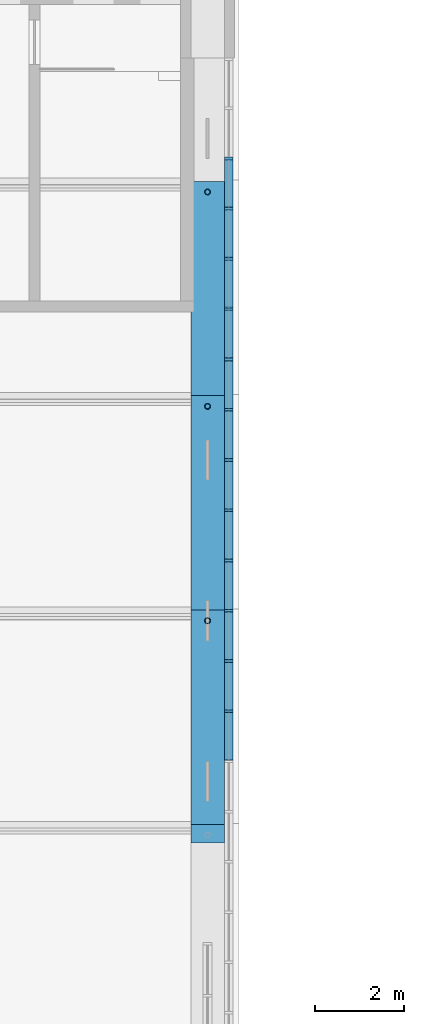
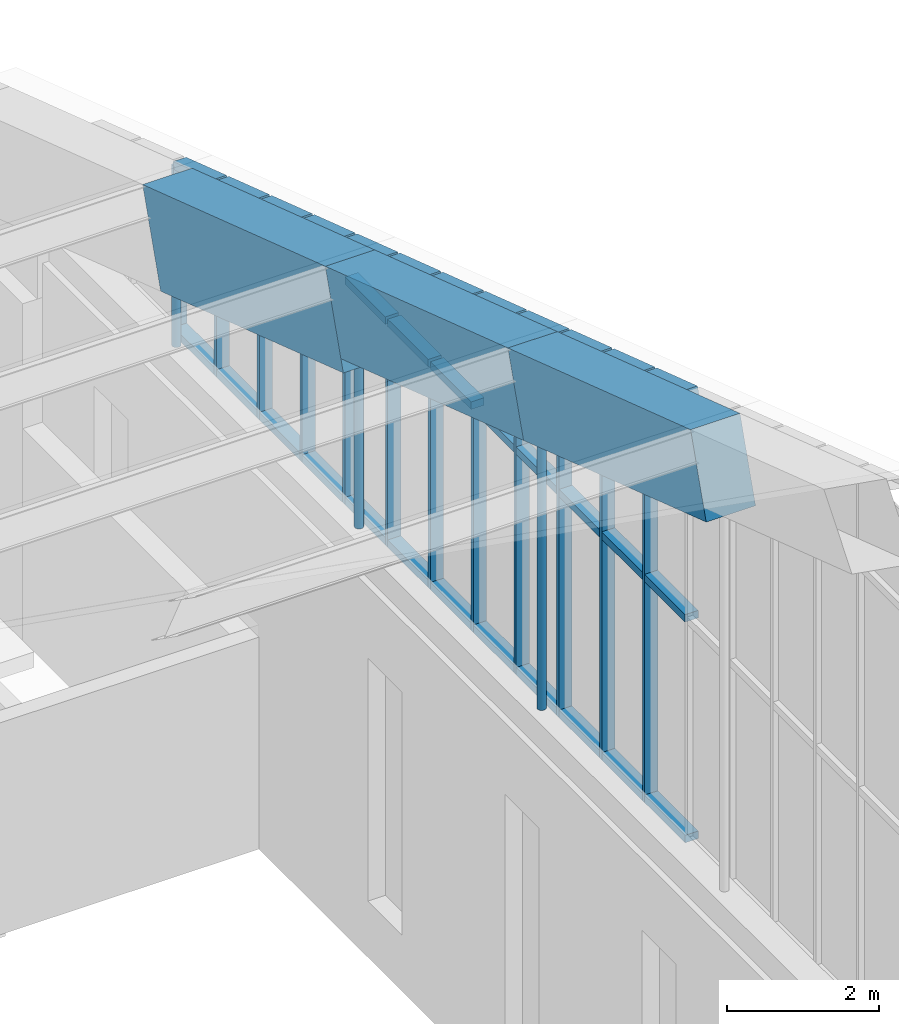
# One storey, part 101 of 149: 47 members, 3 beams, 1 element without a shape of its own.
"""IFC4 building model written with IfcOpenShell, lengths in metres."""

from ifc_helpers import new_model, si_unit, direction, frame, origin, origin_2d, place, context, subcontext, project, spatial, rectangle, hollow_circle, extrude, material, material_profile, profile_set, type_object, element, aggregate, save


model = new_model("IFC4")

# Units and contexts
model_context = context("Model", 3, precision=1e-05, world=origin(), true_north=direction((0.0, 1.0)))
body_context = subcontext(model_context, "Body", "Model", "MODEL_VIEW")
ifc_project = project(units=[si_unit("LENGTHUNIT", "METRE"), si_unit("AREAUNIT", "SQUARE_METRE"), si_unit("VOLUMEUNIT", "CUBIC_METRE"), si_unit("PLANEANGLEUNIT", "RADIAN"), si_unit("MASSUNIT", "GRAM", prefix="KILO")], contexts=[model_context])

# Site, building, storey
site_placement = place(None, origin())
site = spatial("IfcSite", under=ifc_project, at=site_placement, CompositionType="ELEMENT")
building_placement = place(site_placement, origin())
building = spatial("IfcBuilding", under=site, at=building_placement, Name="Alderwick Market Hall", CompositionType="ELEMENT")
storey_placement = place(building_placement, frame((0.0, 0.0, 9.60009765625)))
storey = spatial("IfcBuildingStorey", under=building, at=storey_placement, Name="L01", CompositionType="ELEMENT", Elevation=9.60009765625)

# Beams
ifc_material_1 = material(Name="Concrete 5000 psi (f'c 35 MPa)", Category="concrete")
ifc_material_profile_1 = material_profile(ifc_material_1, rectangle(XDim=0.75, YDim=1.300048828125, at=origin_2d()), Name="RC 750x1300")
ifc_profile_set_1 = profile_set([ifc_material_profile_1], Name="Concrete 5000 psi (f'c 35 MPa)")
beam_type_1 = type_object("IfcBeamType", Name="R Arch Rib Haunch 750x1300", PredefinedType="BEAM", material=ifc_profile_set_1)
beam_1_placement = place(storey_placement, frame((151.199951171875, 88.83154296875, 13.0947265625), z_axis=(0.0, 0.948692948114, -0.316198814353), x_axis=(-1.0, 0.0, 0.0)))
element("IfcBeam", 1, at=beam_1_placement, inside=storey, type_object=beam_type_1, Name="Arch rib 8 chord 9", PredefinedType="BEAM", context=body_context, shape_type="SweptSolid", body=[
    extrude(rectangle(XDim=0.75, YDim=1.300048828125, at=origin_2d()), origin(), (0.0, 0.0, 1.0), 5.0595703125),
])
beam_2_placement = place(storey_placement, frame((151.199951171875, 93.631591796875, 11.494873046875), z_axis=(0.0, 0.948678472761, -0.316242241517), x_axis=(-1.0, 0.0, 0.0)))
element("IfcBeam", 2, at=beam_2_placement, inside=storey, type_object=beam_type_1, Name="Arch rib 8 chord 10", PredefinedType="BEAM", context=body_context, shape_type="SweptSolid", body=[
    extrude(rectangle(XDim=0.75, YDim=1.300048828125, at=origin_2d()), origin(), (0.0, 0.0, 1.0), 5.059814453125),
])
ifc_material_profile_2 = material_profile(ifc_material_1, rectangle(XDim=0.75, YDim=1.5, at=origin_2d()), Name="RC 750x1500")
ifc_profile_set_2 = profile_set([ifc_material_profile_2], Name="Concrete 5000 psi (f'c 35 MPa)")
beam_type_2 = type_object("IfcBeamType", Name="R Arch Rib Springing 750x1500", PredefinedType="BEAM", material=ifc_profile_set_2)
beam_3_placement = place(storey_placement, frame((151.199951171875, 98.39990234375, 9.7998046875), z_axis=(0.0, 0.948692948114, -0.316198814353), x_axis=(-1.0, 0.0, 0.0)))
element("IfcBeam", 3, at=beam_3_placement, inside=storey, type_object=beam_type_2, Name="Arch rib 8 chord 11", PredefinedType="BEAM", context=body_context, shape_type="SweptSolid", body=[
    extrude(rectangle(XDim=0.75, YDim=1.5, at=origin_2d()), origin(), (0.0, 0.0, 1.0), 5.0595703125),
])

# Curtain wall, members
ifc_material_2 = material(Name="Aluminium", Category="aluminium")
curtain_wall_type = type_object("IfcCurtainWallType", Name="R Curtain Wall Frame", PredefinedType="NOTDEFINED", material=ifc_material_2)
curtain_wall_placement = place(storey_placement, origin())
curtain_wall = element("IfcCurtainWall", 4, at=curtain_wall_placement, inside=storey, type_object=curtain_wall_type, Name="Curtain wall GCW3", PredefinedType="NOTDEFINED")
ifc_material_profile_3 = material_profile(ifc_material_2, rectangle(XDim=0.199951171875, YDim=0.06005859375, at=origin_2d()), Name="AL 60x200")
ifc_profile_set_3 = profile_set([ifc_material_profile_3], Name="Aluminium")
member_type_1 = type_object("IfcMemberType", Name="R CW Mullion 60x200", PredefinedType="MULLION", material=ifc_profile_set_3)
member_1_placement = place(storey_placement, frame((151.675048828125, 91.574951171875, 5.94677734375), z_axis=(0.0, 0.0, 1.0), x_axis=(1.0, 0.0, 0.0)))
member_1 = element("IfcMember", 5, at=member_1_placement, type_object=member_type_1, Name="GCW3 mullion 36", PredefinedType="MULLION", context=body_context, shape_type="SweptSolid", body=[
    extrude(rectangle(XDim=0.199951171875, YDim=0.06005859375, at=origin_2d()), origin(), (0.0, 0.0, 1.0), 6.825439453125),
])
member_2_placement = place(storey_placement, frame((151.675048828125, 92.699951171875, 5.94677734375), z_axis=(0.0, 0.0, 1.0), x_axis=(1.0, 0.0, 0.0)))
member_2 = element("IfcMember", 6, at=member_2_placement, type_object=member_type_1, Name="GCW3 mullion 37", PredefinedType="MULLION", context=body_context, shape_type="SweptSolid", body=[
    extrude(rectangle(XDim=0.199951171875, YDim=0.06005859375, at=origin_2d()), origin(), (0.0, 0.0, 1.0), 6.450439453125),
])
member_3_placement = place(storey_placement, frame((151.675048828125, 93.824951171875, 5.94677734375), z_axis=(0.0, 0.0, 1.0), x_axis=(1.0, 0.0, 0.0)))
member_3 = element("IfcMember", 7, at=member_3_placement, type_object=member_type_1, Name="GCW3 mullion 38", PredefinedType="MULLION", context=body_context, shape_type="SweptSolid", body=[
    extrude(rectangle(XDim=0.199951171875, YDim=0.06005859375, at=origin_2d()), origin(), (0.0, 0.0, 1.0), 6.075439453125),
])
member_4_placement = place(storey_placement, frame((151.675048828125, 94.949951171875, 5.94677734375), z_axis=(0.0, 0.0, 1.0), x_axis=(1.0, 0.0, 0.0)))
member_4 = element("IfcMember", 8, at=member_4_placement, type_object=member_type_1, Name="GCW3 mullion 39", PredefinedType="MULLION", context=body_context, shape_type="SweptSolid", body=[
    extrude(rectangle(XDim=0.199951171875, YDim=0.06005859375, at=origin_2d()), origin(), (0.0, 0.0, 1.0), 5.700439453125),
])
member_5_placement = place(storey_placement, frame((151.675048828125, 96.074951171875, 5.94677734375), z_axis=(0.0, 0.0, 1.0), x_axis=(1.0, 0.0, 0.0)))
member_5 = element("IfcMember", 9, at=member_5_placement, type_object=member_type_1, Name="GCW3 mullion 40", PredefinedType="MULLION", context=body_context, shape_type="SweptSolid", body=[
    extrude(rectangle(XDim=0.199951171875, YDim=0.06005859375, at=origin_2d()), origin(), (0.0, 0.0, 1.0), 5.325439453125),
])
member_6_placement = place(storey_placement, frame((151.675048828125, 97.199951171875, 5.94677734375), z_axis=(0.0, 0.0, 1.0), x_axis=(1.0, 0.0, 0.0)))
member_6 = element("IfcMember", 10, at=member_6_placement, type_object=member_type_1, Name="GCW3 mullion 41", PredefinedType="MULLION", context=body_context, shape_type="SweptSolid", body=[
    extrude(rectangle(XDim=0.199951171875, YDim=0.06005859375, at=origin_2d()), origin(), (0.0, 0.0, 1.0), 4.950439453125),
])
member_7_placement = place(storey_placement, frame((151.675048828125, 98.324951171875, 5.94677734375), z_axis=(0.0, 0.0, 1.0), x_axis=(1.0, 0.0, 0.0)))
member_7 = element("IfcMember", 11, at=member_7_placement, type_object=member_type_1, Name="GCW3 mullion 42", PredefinedType="MULLION", context=body_context, shape_type="SweptSolid", body=[
    extrude(rectangle(XDim=0.199951171875, YDim=0.06005859375, at=origin_2d()), origin(), (0.0, 0.0, 1.0), 4.575439453125),
])
member_8_placement = place(storey_placement, frame((151.675048828125, 99.449951171875, 5.94677734375), z_axis=(0.0, 0.0, 1.0), x_axis=(1.0, 0.0, 0.0)))
member_8 = element("IfcMember", 12, at=member_8_placement, type_object=member_type_1, Name="GCW3 mullion 43", PredefinedType="MULLION", context=body_context, shape_type="SweptSolid", body=[
    extrude(rectangle(XDim=0.199951171875, YDim=0.06005859375, at=origin_2d()), origin(), (0.0, 0.0, 1.0), 4.200439453125),
])
member_9_placement = place(storey_placement, frame((151.675048828125, 100.574951171875, 5.94677734375), z_axis=(0.0, 0.0, 1.0), x_axis=(1.0, 0.0, 0.0)))
member_9 = element("IfcMember", 13, at=member_9_placement, type_object=member_type_1, Name="GCW3 mullion 44", PredefinedType="MULLION", context=body_context, shape_type="SweptSolid", body=[
    extrude(rectangle(XDim=0.199951171875, YDim=0.06005859375, at=origin_2d()), origin(), (0.0, 0.0, 1.0), 3.825439453125),
])
member_10_placement = place(storey_placement, frame((151.675048828125, 101.699951171875, 5.94677734375), z_axis=(0.0, 0.0, 1.0), x_axis=(1.0, 0.0, 0.0)))
member_10 = element("IfcMember", 14, at=member_10_placement, type_object=member_type_1, Name="GCW3 mullion 45", PredefinedType="MULLION", context=body_context, shape_type="SweptSolid", body=[
    extrude(rectangle(XDim=0.199951171875, YDim=0.06005859375, at=origin_2d()), origin(), (0.0, 0.0, 1.0), 3.450439453125),
])
member_11_placement = place(storey_placement, frame((151.675048828125, 102.824951171875, 5.94677734375), z_axis=(0.0, 0.0, 1.0), x_axis=(1.0, 0.0, 0.0)))
member_11 = element("IfcMember", 15, at=member_11_placement, type_object=member_type_1, Name="GCW3 mullion 46", PredefinedType="MULLION", context=body_context, shape_type="SweptSolid", body=[
    extrude(rectangle(XDim=0.199951171875, YDim=0.06005859375, at=origin_2d()), origin(), (0.0, 0.0, 1.0), 3.075439453125),
])
member_12_placement = place(storey_placement, frame((151.675048828125, 103.949951171875, 5.94677734375), z_axis=(0.0, 0.0, 1.0), x_axis=(1.0, 0.0, 0.0)))
member_12 = element("IfcMember", 16, at=member_12_placement, type_object=member_type_1, Name="GCW3 mullion 47", PredefinedType="MULLION", context=body_context, shape_type="SweptSolid", body=[
    extrude(rectangle(XDim=0.199951171875, YDim=0.06005859375, at=origin_2d()), origin(), (0.0, 0.0, 1.0), 2.700439453125),
])
ifc_material_profile_4 = material_profile(ifc_material_2, rectangle(XDim=0.199951171875, YDim=0.1201171875, at=origin_2d()), Name="AL 120x200")
ifc_profile_set_4 = profile_set([ifc_material_profile_4], Name="Aluminium")
member_type_2 = type_object("IfcMemberType", Name="R CW Transom 120x200", PredefinedType="USERDEFINED", material=ifc_profile_set_4)
member_13_placement = place(storey_placement, frame((151.675048828125, 90.47998046875, 6.006591796875), z_axis=(0.0, 1.0, 0.0), x_axis=(-1.0, 0.0, 0.0)))
member_13 = element("IfcMember", 17, at=member_13_placement, type_object=member_type_2, Name="GCW3 sill transom 35", ObjectType="TRANSOM", PredefinedType="USERDEFINED", context=body_context, shape_type="SweptSolid", body=[
    extrude(rectangle(XDim=0.199951171875, YDim=0.1201171875, at=origin_2d()), origin(), (0.0, 0.0, 1.0), 1.06494140625),
])
member_14_placement = place(storey_placement, frame((151.675048828125, 90.47998046875, 9.546630859375), z_axis=(0.0, 1.0, 0.0), x_axis=(-1.0, 0.0, 0.0)))
member_14 = element("IfcMember", 18, at=member_14_placement, type_object=member_type_2, Name="GCW3 transom 35.1", ObjectType="TRANSOM", PredefinedType="USERDEFINED", context=body_context, shape_type="SweptSolid", body=[
    extrude(rectangle(XDim=0.199951171875, YDim=0.1201171875, at=origin_2d()), origin(), (0.0, 0.0, 1.0), 1.06494140625),
])
member_15_placement = place(storey_placement, frame((151.675048828125, 90.47998046875, 13.13720703125), z_axis=(0.0, 0.948683298051, -0.316227766017), x_axis=(-1.0, 0.0, 0.0)))
member_15 = element("IfcMember", 19, at=member_15_placement, type_object=member_type_2, Name="GCW3 arch cap 35", ObjectType="TRANSOM", PredefinedType="USERDEFINED", context=body_context, shape_type="SweptSolid", body=[
    extrude(rectangle(XDim=0.199951171875, YDim=0.1201171875, at=origin_2d()), origin(), (0.0, 0.0, 1.0), 1.12255859375),
])
member_16_placement = place(storey_placement, frame((151.675048828125, 91.60498046875, 6.006591796875), z_axis=(0.0, 1.0, 0.0), x_axis=(-1.0, 0.0, 0.0)))
member_16 = element("IfcMember", 20, at=member_16_placement, type_object=member_type_2, Name="GCW3 sill transom 36", ObjectType="TRANSOM", PredefinedType="USERDEFINED", context=body_context, shape_type="SweptSolid", body=[
    extrude(rectangle(XDim=0.199951171875, YDim=0.1201171875, at=origin_2d()), origin(), (0.0, 0.0, 1.0), 1.06494140625),
])
member_17_placement = place(storey_placement, frame((151.675048828125, 91.60498046875, 9.546630859375), z_axis=(0.0, 1.0, 0.0), x_axis=(-1.0, 0.0, 0.0)))
member_17 = element("IfcMember", 21, at=member_17_placement, type_object=member_type_2, Name="GCW3 transom 36.1", ObjectType="TRANSOM", PredefinedType="USERDEFINED", context=body_context, shape_type="SweptSolid", body=[
    extrude(rectangle(XDim=0.199951171875, YDim=0.1201171875, at=origin_2d()), origin(), (0.0, 0.0, 1.0), 1.06494140625),
])
member_18_placement = place(storey_placement, frame((151.675048828125, 91.60498046875, 12.76220703125), z_axis=(0.0, 0.948683298051, -0.316227766017), x_axis=(-1.0, 0.0, 0.0)))
member_18 = element("IfcMember", 22, at=member_18_placement, type_object=member_type_2, Name="GCW3 arch cap 36", ObjectType="TRANSOM", PredefinedType="USERDEFINED", context=body_context, shape_type="SweptSolid", body=[
    extrude(rectangle(XDim=0.199951171875, YDim=0.1201171875, at=origin_2d()), origin(), (0.0, 0.0, 1.0), 1.12255859375),
])
member_19_placement = place(storey_placement, frame((151.675048828125, 92.72998046875, 6.006591796875), z_axis=(0.0, 1.0, 0.0), x_axis=(-1.0, 0.0, 0.0)))
member_19 = element("IfcMember", 23, at=member_19_placement, type_object=member_type_2, Name="GCW3 sill transom 37", ObjectType="TRANSOM", PredefinedType="USERDEFINED", context=body_context, shape_type="SweptSolid", body=[
    extrude(rectangle(XDim=0.199951171875, YDim=0.1201171875, at=origin_2d()), origin(), (0.0, 0.0, 1.0), 1.06494140625),
])
member_20_placement = place(storey_placement, frame((151.675048828125, 92.72998046875, 9.546630859375), z_axis=(0.0, 1.0, 0.0), x_axis=(-1.0, 0.0, 0.0)))
member_20 = element("IfcMember", 24, at=member_20_placement, type_object=member_type_2, Name="GCW3 transom 37.1", ObjectType="TRANSOM", PredefinedType="USERDEFINED", context=body_context, shape_type="SweptSolid", body=[
    extrude(rectangle(XDim=0.199951171875, YDim=0.1201171875, at=origin_2d()), origin(), (0.0, 0.0, 1.0), 1.06494140625),
])
member_21_placement = place(storey_placement, frame((151.675048828125, 92.72998046875, 12.38720703125), z_axis=(0.0, 0.948683298051, -0.316227766017), x_axis=(-1.0, 0.0, 0.0)))
member_21 = element("IfcMember", 25, at=member_21_placement, type_object=member_type_2, Name="GCW3 arch cap 37", ObjectType="TRANSOM", PredefinedType="USERDEFINED", context=body_context, shape_type="SweptSolid", body=[
    extrude(rectangle(XDim=0.199951171875, YDim=0.1201171875, at=origin_2d()), origin(), (0.0, 0.0, 1.0), 1.12255859375),
])
member_22_placement = place(storey_placement, frame((151.675048828125, 93.85498046875, 6.006591796875), z_axis=(0.0, 1.0, 0.0), x_axis=(-1.0, 0.0, 0.0)))
member_22 = element("IfcMember", 26, at=member_22_placement, type_object=member_type_2, Name="GCW3 sill transom 38", ObjectType="TRANSOM", PredefinedType="USERDEFINED", context=body_context, shape_type="SweptSolid", body=[
    extrude(rectangle(XDim=0.199951171875, YDim=0.1201171875, at=origin_2d()), origin(), (0.0, 0.0, 1.0), 1.06494140625),
])
member_23_placement = place(storey_placement, frame((151.675048828125, 93.85498046875, 9.546630859375), z_axis=(0.0, 1.0, 0.0), x_axis=(-1.0, 0.0, 0.0)))
member_23 = element("IfcMember", 27, at=member_23_placement, type_object=member_type_2, Name="GCW3 transom 38.1", ObjectType="TRANSOM", PredefinedType="USERDEFINED", context=body_context, shape_type="SweptSolid", body=[
    extrude(rectangle(XDim=0.199951171875, YDim=0.1201171875, at=origin_2d()), origin(), (0.0, 0.0, 1.0), 1.06494140625),
])
member_24_placement = place(storey_placement, frame((151.675048828125, 93.85498046875, 12.01220703125), z_axis=(0.0, 0.948683298051, -0.316227766017), x_axis=(-1.0, 0.0, 0.0)))
member_24 = element("IfcMember", 28, at=member_24_placement, type_object=member_type_2, Name="GCW3 arch cap 38", ObjectType="TRANSOM", PredefinedType="USERDEFINED", context=body_context, shape_type="SweptSolid", body=[
    extrude(rectangle(XDim=0.199951171875, YDim=0.1201171875, at=origin_2d()), origin(), (0.0, 0.0, 1.0), 1.12255859375),
])
member_25_placement = place(storey_placement, frame((151.675048828125, 94.97998046875, 6.006591796875), z_axis=(0.0, 1.0, 0.0), x_axis=(-1.0, 0.0, 0.0)))
member_25 = element("IfcMember", 29, at=member_25_placement, type_object=member_type_2, Name="GCW3 sill transom 39", ObjectType="TRANSOM", PredefinedType="USERDEFINED", context=body_context, shape_type="SweptSolid", body=[
    extrude(rectangle(XDim=0.199951171875, YDim=0.1201171875, at=origin_2d()), origin(), (0.0, 0.0, 1.0), 1.06494140625),
])
member_26_placement = place(storey_placement, frame((151.675048828125, 94.97998046875, 9.546630859375), z_axis=(0.0, 1.0, 0.0), x_axis=(-1.0, 0.0, 0.0)))
member_26 = element("IfcMember", 30, at=member_26_placement, type_object=member_type_2, Name="GCW3 transom 39.1", ObjectType="TRANSOM", PredefinedType="USERDEFINED", context=body_context, shape_type="SweptSolid", body=[
    extrude(rectangle(XDim=0.199951171875, YDim=0.1201171875, at=origin_2d()), origin(), (0.0, 0.0, 1.0), 1.06494140625),
])
member_27_placement = place(storey_placement, frame((151.675048828125, 94.97998046875, 11.63720703125), z_axis=(0.0, 0.948683298051, -0.316227766017), x_axis=(-1.0, 0.0, 0.0)))
member_27 = element("IfcMember", 31, at=member_27_placement, type_object=member_type_2, Name="GCW3 arch cap 39", ObjectType="TRANSOM", PredefinedType="USERDEFINED", context=body_context, shape_type="SweptSolid", body=[
    extrude(rectangle(XDim=0.199951171875, YDim=0.1201171875, at=origin_2d()), origin(), (0.0, 0.0, 1.0), 1.12255859375),
])
member_28_placement = place(storey_placement, frame((151.675048828125, 96.10498046875, 6.006591796875), z_axis=(0.0, 1.0, 0.0), x_axis=(-1.0, 0.0, 0.0)))
member_28 = element("IfcMember", 32, at=member_28_placement, type_object=member_type_2, Name="GCW3 sill transom 40", ObjectType="TRANSOM", PredefinedType="USERDEFINED", context=body_context, shape_type="SweptSolid", body=[
    extrude(rectangle(XDim=0.199951171875, YDim=0.1201171875, at=origin_2d()), origin(), (0.0, 0.0, 1.0), 1.06494140625),
])
member_29_placement = place(storey_placement, frame((151.675048828125, 96.10498046875, 9.546630859375), z_axis=(0.0, 1.0, 0.0), x_axis=(-1.0, 0.0, 0.0)))
member_29 = element("IfcMember", 33, at=member_29_placement, type_object=member_type_2, Name="GCW3 transom 40.1", ObjectType="TRANSOM", PredefinedType="USERDEFINED", context=body_context, shape_type="SweptSolid", body=[
    extrude(rectangle(XDim=0.199951171875, YDim=0.1201171875, at=origin_2d()), origin(), (0.0, 0.0, 1.0), 1.06494140625),
])
member_30_placement = place(storey_placement, frame((151.675048828125, 96.10498046875, 11.26220703125), z_axis=(0.0, 0.948683298051, -0.316227766017), x_axis=(-1.0, 0.0, 0.0)))
member_30 = element("IfcMember", 34, at=member_30_placement, type_object=member_type_2, Name="GCW3 arch cap 40", ObjectType="TRANSOM", PredefinedType="USERDEFINED", context=body_context, shape_type="SweptSolid", body=[
    extrude(rectangle(XDim=0.199951171875, YDim=0.1201171875, at=origin_2d()), origin(), (0.0, 0.0, 1.0), 1.12255859375),
])
member_31_placement = place(storey_placement, frame((151.675048828125, 97.22998046875, 6.006591796875), z_axis=(0.0, 1.0, 0.0), x_axis=(-1.0, 0.0, 0.0)))
member_31 = element("IfcMember", 35, at=member_31_placement, type_object=member_type_2, Name="GCW3 sill transom 41", ObjectType="TRANSOM", PredefinedType="USERDEFINED", context=body_context, shape_type="SweptSolid", body=[
    extrude(rectangle(XDim=0.199951171875, YDim=0.1201171875, at=origin_2d()), origin(), (0.0, 0.0, 1.0), 1.06494140625),
])
member_32_placement = place(storey_placement, frame((151.675048828125, 97.22998046875, 9.546630859375), z_axis=(0.0, 1.0, 0.0), x_axis=(-1.0, 0.0, 0.0)))
member_32 = element("IfcMember", 36, at=member_32_placement, type_object=member_type_2, Name="GCW3 transom 41.1", ObjectType="TRANSOM", PredefinedType="USERDEFINED", context=body_context, shape_type="SweptSolid", body=[
    extrude(rectangle(XDim=0.199951171875, YDim=0.1201171875, at=origin_2d()), origin(), (0.0, 0.0, 1.0), 1.06494140625),
])
member_33_placement = place(storey_placement, frame((151.675048828125, 97.22998046875, 10.88720703125), z_axis=(0.0, 0.948683298051, -0.316227766017), x_axis=(-1.0, 0.0, 0.0)))
member_33 = element("IfcMember", 37, at=member_33_placement, type_object=member_type_2, Name="GCW3 arch cap 41", ObjectType="TRANSOM", PredefinedType="USERDEFINED", context=body_context, shape_type="SweptSolid", body=[
    extrude(rectangle(XDim=0.199951171875, YDim=0.1201171875, at=origin_2d()), origin(), (0.0, 0.0, 1.0), 1.12255859375),
])
member_34_placement = place(storey_placement, frame((151.675048828125, 98.35498046875, 6.006591796875), z_axis=(0.0, 1.0, 0.0), x_axis=(-1.0, 0.0, 0.0)))
member_34 = element("IfcMember", 38, at=member_34_placement, type_object=member_type_2, Name="GCW3 sill transom 42", ObjectType="TRANSOM", PredefinedType="USERDEFINED", context=body_context, shape_type="SweptSolid", body=[
    extrude(rectangle(XDim=0.199951171875, YDim=0.1201171875, at=origin_2d()), origin(), (0.0, 0.0, 1.0), 1.06494140625),
])
member_35_placement = place(storey_placement, frame((151.675048828125, 98.35498046875, 9.546630859375), z_axis=(0.0, 1.0, 0.0), x_axis=(-1.0, 0.0, 0.0)))
member_35 = element("IfcMember", 39, at=member_35_placement, type_object=member_type_2, Name="GCW3 transom 42.1", ObjectType="TRANSOM", PredefinedType="USERDEFINED", context=body_context, shape_type="SweptSolid", body=[
    extrude(rectangle(XDim=0.199951171875, YDim=0.1201171875, at=origin_2d()), origin(), (0.0, 0.0, 1.0), 1.06494140625),
])
member_36_placement = place(storey_placement, frame((151.675048828125, 98.35498046875, 10.51220703125), z_axis=(0.0, 0.948683298051, -0.316227766017), x_axis=(-1.0, 0.0, 0.0)))
member_36 = element("IfcMember", 40, at=member_36_placement, type_object=member_type_2, Name="GCW3 arch cap 42", ObjectType="TRANSOM", PredefinedType="USERDEFINED", context=body_context, shape_type="SweptSolid", body=[
    extrude(rectangle(XDim=0.199951171875, YDim=0.1201171875, at=origin_2d()), origin(), (0.0, 0.0, 1.0), 1.12255859375),
])
member_37_placement = place(storey_placement, frame((151.675048828125, 99.47998046875, 6.006591796875), z_axis=(0.0, 1.0, 0.0), x_axis=(-1.0, 0.0, 0.0)))
member_37 = element("IfcMember", 41, at=member_37_placement, type_object=member_type_2, Name="GCW3 sill transom 43", ObjectType="TRANSOM", PredefinedType="USERDEFINED", context=body_context, shape_type="SweptSolid", body=[
    extrude(rectangle(XDim=0.199951171875, YDim=0.1201171875, at=origin_2d()), origin(), (0.0, 0.0, 1.0), 1.06494140625),
])
member_38_placement = place(storey_placement, frame((151.675048828125, 99.47998046875, 10.13720703125), z_axis=(0.0, 0.948683298051, -0.316227766017), x_axis=(-1.0, 0.0, 0.0)))
member_38 = element("IfcMember", 42, at=member_38_placement, type_object=member_type_2, Name="GCW3 arch cap 43", ObjectType="TRANSOM", PredefinedType="USERDEFINED", context=body_context, shape_type="SweptSolid", body=[
    extrude(rectangle(XDim=0.199951171875, YDim=0.1201171875, at=origin_2d()), origin(), (0.0, 0.0, 1.0), 1.12255859375),
])
member_39_placement = place(storey_placement, frame((151.675048828125, 100.60498046875, 6.006591796875), z_axis=(0.0, 1.0, 0.0), x_axis=(-1.0, 0.0, 0.0)))
member_39 = element("IfcMember", 43, at=member_39_placement, type_object=member_type_2, Name="GCW3 sill transom 44", ObjectType="TRANSOM", PredefinedType="USERDEFINED", context=body_context, shape_type="SweptSolid", body=[
    extrude(rectangle(XDim=0.199951171875, YDim=0.1201171875, at=origin_2d()), origin(), (0.0, 0.0, 1.0), 1.06494140625),
])
member_40_placement = place(storey_placement, frame((151.675048828125, 100.60498046875, 9.76220703125), z_axis=(0.0, 0.948683298051, -0.316227766017), x_axis=(-1.0, 0.0, 0.0)))
member_40 = element("IfcMember", 44, at=member_40_placement, type_object=member_type_2, Name="GCW3 arch cap 44", ObjectType="TRANSOM", PredefinedType="USERDEFINED", context=body_context, shape_type="SweptSolid", body=[
    extrude(rectangle(XDim=0.199951171875, YDim=0.1201171875, at=origin_2d()), origin(), (0.0, 0.0, 1.0), 1.12255859375),
])
member_41_placement = place(storey_placement, frame((151.675048828125, 101.72998046875, 6.006591796875), z_axis=(0.0, 1.0, 0.0), x_axis=(-1.0, 0.0, 0.0)))
member_41 = element("IfcMember", 45, at=member_41_placement, type_object=member_type_2, Name="GCW3 sill transom 45", ObjectType="TRANSOM", PredefinedType="USERDEFINED", context=body_context, shape_type="SweptSolid", body=[
    extrude(rectangle(XDim=0.199951171875, YDim=0.1201171875, at=origin_2d()), origin(), (0.0, 0.0, 1.0), 1.06494140625),
])
member_42_placement = place(storey_placement, frame((151.675048828125, 101.72998046875, 9.38720703125), z_axis=(0.0, 0.948683298051, -0.316227766017), x_axis=(-1.0, 0.0, 0.0)))
member_42 = element("IfcMember", 46, at=member_42_placement, type_object=member_type_2, Name="GCW3 arch cap 45", ObjectType="TRANSOM", PredefinedType="USERDEFINED", context=body_context, shape_type="SweptSolid", body=[
    extrude(rectangle(XDim=0.199951171875, YDim=0.1201171875, at=origin_2d()), origin(), (0.0, 0.0, 1.0), 1.12255859375),
])
member_43_placement = place(storey_placement, frame((151.675048828125, 102.85498046875, 6.006591796875), z_axis=(0.0, 1.0, 0.0), x_axis=(-1.0, 0.0, 0.0)))
member_43 = element("IfcMember", 47, at=member_43_placement, type_object=member_type_2, Name="GCW3 sill transom 46", ObjectType="TRANSOM", PredefinedType="USERDEFINED", context=body_context, shape_type="SweptSolid", body=[
    extrude(rectangle(XDim=0.199951171875, YDim=0.1201171875, at=origin_2d()), origin(), (0.0, 0.0, 1.0), 1.06494140625),
])
member_44_placement = place(storey_placement, frame((151.675048828125, 102.85498046875, 9.01220703125), z_axis=(0.0, 0.948683298051, -0.316227766017), x_axis=(-1.0, 0.0, 0.0)))
member_44 = element("IfcMember", 48, at=member_44_placement, type_object=member_type_2, Name="GCW3 arch cap 46", ObjectType="TRANSOM", PredefinedType="USERDEFINED", context=body_context, shape_type="SweptSolid", body=[
    extrude(rectangle(XDim=0.199951171875, YDim=0.1201171875, at=origin_2d()), origin(), (0.0, 0.0, 1.0), 1.12255859375),
])
aggregate(curtain_wall, [member_1, member_2, member_3, member_4, member_5, member_6, member_7, member_8, member_9, member_10, member_11, member_12, member_13, member_14, member_15, member_16, member_17, member_18, member_19, member_20, member_21, member_22, member_23, member_24, member_25, member_26, member_27, member_28, member_29, member_30, member_31, member_32, member_33, member_34, member_35, member_36, member_37, member_38, member_39, member_40, member_41, member_42, member_43, member_44])

# Members
ifc_material_3 = material(Name="Steel ASTM A500 Grade C", Category="steel")
ifc_material_profile_5 = material_profile(ifc_material_3, hollow_circle(Radius=0.0634765625, WallThickness=0.005859375, at=origin_2d()), Name="HSS5.000x0.250")
ifc_profile_set_5 = profile_set([ifc_material_profile_5], Name="Steel ASTM A500 Grade C")
member_type_3 = type_object("IfcMemberType", Name="R Hanger HSS5.000x0.250", PredefinedType="POST", material=ifc_profile_set_5)
member_45_placement = place(storey_placement, frame((151.199951171875, 93.60009765625, 6.35302734375), z_axis=(0.0, 0.0, 1.0), x_axis=(1.0, 0.0, 0.0)))
element("IfcMember", 49, at=member_45_placement, inside=storey, type_object=member_type_3, Name="Arch hanger 8.9", PredefinedType="POST", context=body_context, shape_type="SweptSolid", body=[
    extrude(hollow_circle(Radius=0.0634765625, WallThickness=0.005859375, at=origin_2d()), origin(), (0.0, 0.0, 1.0), 4.446044921875),
])
member_46_placement = place(storey_placement, frame((151.199951171875, 98.39990234375, 6.35302734375), z_axis=(0.0, 0.0, 1.0), x_axis=(1.0, 0.0, 0.0)))
element("IfcMember", 50, at=member_46_placement, inside=storey, type_object=member_type_3, Name="Arch hanger 8.10", PredefinedType="POST", context=body_context, shape_type="SweptSolid", body=[
    extrude(hollow_circle(Radius=0.0634765625, WallThickness=0.005859375, at=origin_2d()), origin(), (0.0, 0.0, 1.0), 2.63525390625),
])
member_47_placement = place(storey_placement, frame((151.199951171875, 103.199951171875, 6.35302734375), z_axis=(0.0, 0.0, 1.0), x_axis=(1.0, 0.0, 0.0)))
element("IfcMember", 51, at=member_47_placement, inside=storey, type_object=member_type_3, Name="Arch hanger 8.11", PredefinedType="POST", context=body_context, shape_type="SweptSolid", body=[
    extrude(hollow_circle(Radius=0.0634765625, WallThickness=0.005859375, at=origin_2d()), origin(), (0.0, 0.0, 1.0), 1.03515625),
])

save(model, "model.ifc")
